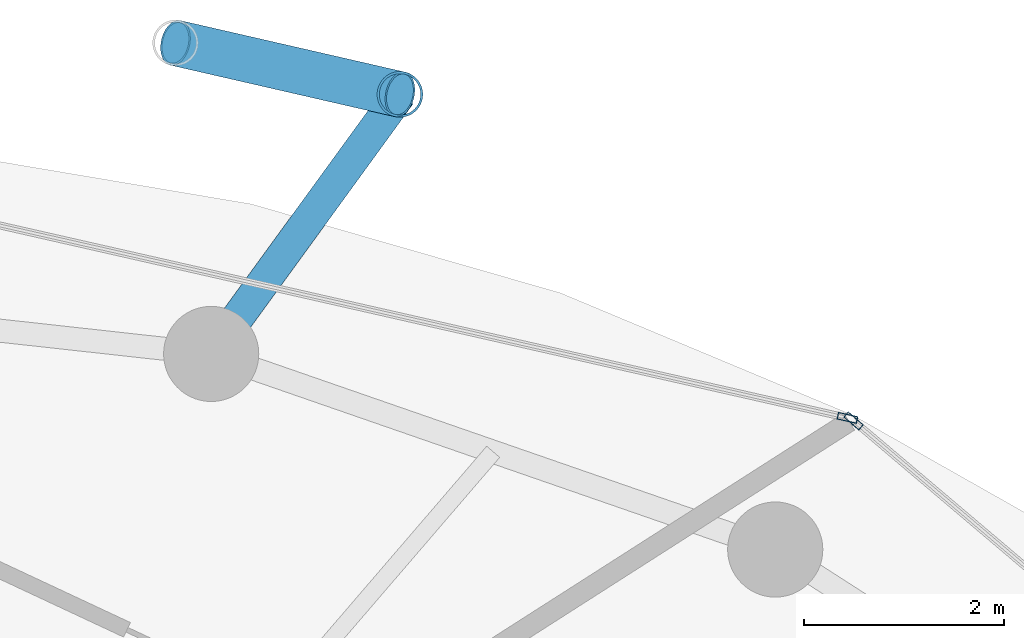
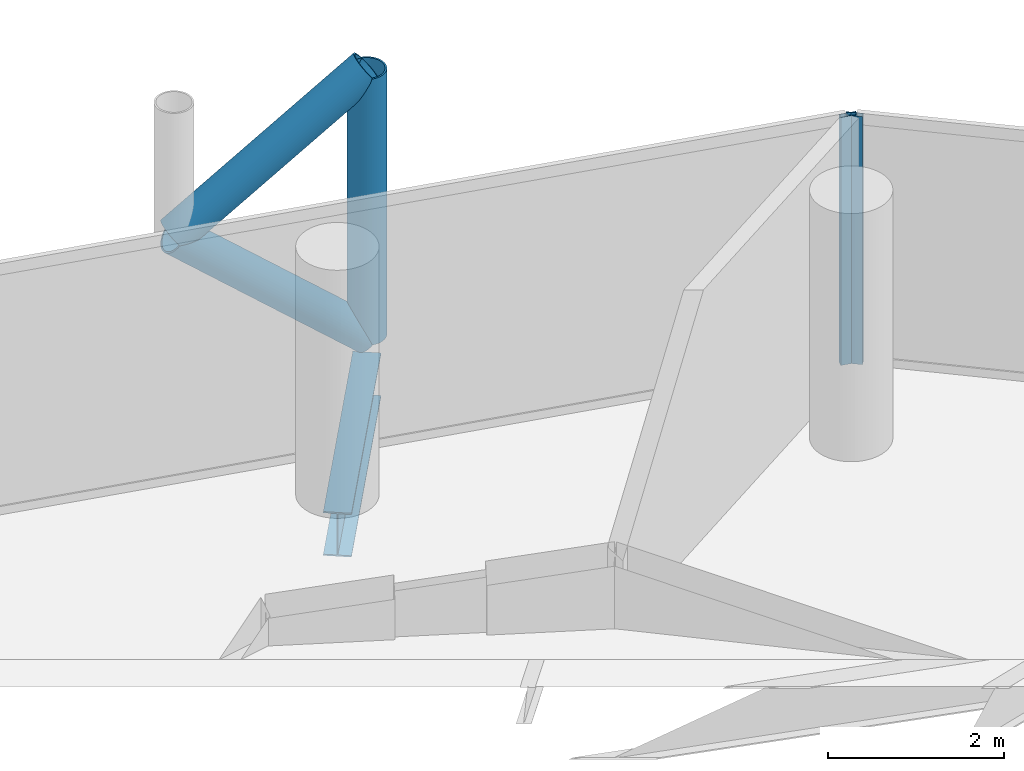
# One storey, part 20 of 26: 5 members, 1 beam, 2 elements without a shape of their own.
"""IFC4 building model written with IfcOpenShell, lengths in metres."""

from ifc_helpers import new_model, si_unit, direction, frame, origin, origin_2d, place, context, subcontext, project, spatial, hollow_rectangle, hollow_circle, i_section, extrude, material, layer, layer_set, material_profile, profile_set, type_object, element, aggregate, save


model = new_model("IFC4")

# Units and contexts
model_context = context("Model", 3, precision=1e-05, world=origin(), true_north=direction((0.0, 1.0)))
body_context = subcontext(model_context, "Body", "Model", "MODEL_VIEW")
ifc_project = project(units=[si_unit("LENGTHUNIT", "METRE"), si_unit("AREAUNIT", "SQUARE_METRE"), si_unit("VOLUMEUNIT", "CUBIC_METRE"), si_unit("PLANEANGLEUNIT", "RADIAN"), si_unit("MASSUNIT", "GRAM", prefix="KILO")], contexts=[model_context])

# Site, building, storey
site_placement = place(None, origin())
site = spatial("IfcSite", under=ifc_project, at=site_placement, CompositionType="ELEMENT")
building_placement = place(site_placement, origin())
building = spatial("IfcBuilding", under=site, at=building_placement, Name="Nuhasar Tower", CompositionType="ELEMENT")
storey_placement = place(building_placement, frame((0.0, 0.0, 140.449951171875)))
storey = spatial("IfcBuildingStorey", under=building, at=storey_placement, Name="L33", CompositionType="ELEMENT", Elevation=140.449951171875)

# Beam
ifc_material_1 = material(Name="Steel S355", Category="steel")
ifc_material_profile_1 = material_profile(ifc_material_1, i_section(OverallWidth=0.323974609375, OverallDepth=0.611083984375, WebThickness=0.0126953125, FlangeThickness=0.01904296875, at=origin_2d()), Name="W24X104")
ifc_profile_set_1 = profile_set([ifc_material_profile_1], Name="Steel S355")
beam_type = type_object("IfcBeamType", Name="BM-TIE-W24X104", PredefinedType="BEAM", material=ifc_profile_set_1)
beam_placement = place(storey_placement, frame((45.04296875, 45.68408203125, -0.555908203125), z_axis=(0.588185286445, 0.808726201387, 0.0), x_axis=(-0.808726201387, 0.588185286445, 0.0)))
element("IfcBeam", 1, at=beam_placement, inside=storey, type_object=beam_type, Name="L33 Exoskeleton Node Tie Beam 03", PredefinedType="BEAM", context=body_context, shape_type="SweptSolid", body=[
    extrude(i_section(OverallWidth=0.323974609375, OverallDepth=0.611083984375, WebThickness=0.0126953125, FlangeThickness=0.01904296875, at=origin_2d()), origin(), (0.0, 0.0, 1.0), 3.204833984375),
])

# Curtain wall, member
ifc_material_2 = material(Name="Aluminium 6063-T6", Category="aluminium")
ifc_layer = layer(ifc_material_2, 0.199951171875)
ifc_layer_set = layer_set([ifc_layer], Name="Aluminium 6063-T6")
curtain_wall_type = type_object("IfcCurtainWallType", Name="CW-Z2-HTL", PredefinedType="NOTDEFINED", material=ifc_layer_set)
curtain_wall_1_placement = place(storey_placement, origin())
curtain_wall_1 = element("IfcCurtainWall", 2, at=curtain_wall_1_placement, inside=storey, type_object=curtain_wall_type, Name="L33 Unitised Curtain Wall 02", PredefinedType="NOTDEFINED")
ifc_material_profile_2 = material_profile(ifc_material_2, hollow_rectangle(XDim=0.070068359375, YDim=0.199951171875, WallThickness=0.0048828125, at=origin_2d()), Name="CWM-3")
ifc_profile_set_2 = profile_set([ifc_material_profile_2], Name="Aluminium 6063-T6")
member_type_1 = type_object("IfcMemberType", Name="CW-MUL-S3", PredefinedType="MULLION", material=ifc_profile_set_2)
member_1_placement = place(storey_placement, frame((51.456787109375, 45.015380859375, 0.0), z_axis=(0.0, 0.0, 1.0), x_axis=(-0.646374438324, -0.763020370292, 0.0)))
member_1 = element("IfcMember", 3, at=member_1_placement, type_object=member_type_1, Name="CW-Z2 mullion 2", PredefinedType="MULLION", context=body_context, shape_type="SweptSolid", body=[
    extrude(hollow_rectangle(XDim=0.070068359375, YDim=0.199951171875, WallThickness=0.0048828125, at=origin_2d()), origin(), (0.0, 0.0, 1.0), 3.449951171875),
])
aggregate(curtain_wall_1, [member_1])

curtain_wall_2_placement = place(storey_placement, origin())
curtain_wall_2 = element("IfcCurtainWall", 4, at=curtain_wall_2_placement, inside=storey, type_object=curtain_wall_type, Name="L33 Unitised Curtain Wall 03", PredefinedType="NOTDEFINED")
member_2_placement = place(storey_placement, frame((51.395751953125, 45.045654296875, 0.0), z_axis=(0.0, 0.0, 1.0), x_axis=(-0.22139729566, -0.975183694221, 0.0)))
member_2 = element("IfcMember", 5, at=member_2_placement, type_object=member_type_1, Name="CW-Z2 mullion 1", PredefinedType="MULLION", context=body_context, shape_type="SweptSolid", body=[
    extrude(hollow_rectangle(XDim=0.070068359375, YDim=0.199951171875, WallThickness=0.0048828125, at=origin_2d()), origin(), (0.0, 0.0, 1.0), 3.449951171875),
])
aggregate(curtain_wall_2, [member_2])

# Members
ifc_material_3 = material(Name="Steel S460", Category="steel")
ifc_material_profile_3 = material_profile(ifc_material_3, hollow_circle(Radius=0.228515625, WallThickness=0.022216796875, at=origin_2d()), Name="HSS457X22.2")
ifc_profile_set_3 = profile_set([ifc_material_profile_3], Name="Steel S460")
member_type_2 = type_object("IfcMemberType", Name="EXO-BRONZE-457", PredefinedType="BRACE", material=ifc_profile_set_3)
member_3_placement = place(storey_placement, frame((46.927978515625, 48.27587890625, 0.0), z_axis=(0.0, 0.0, 1.0), x_axis=(1.0, 0.0, 0.0)))
element("IfcMember", 6, at=member_3_placement, inside=storey, type_object=member_type_2, Name="L33 Exoskeleton Chord Column EC-03A", PredefinedType="BRACE", context=body_context, shape_type="SweptSolid", body=[
    extrude(hollow_circle(Radius=0.228515625, WallThickness=0.022216796875, at=origin_2d()), origin(), (0.0, 0.0, 1.0), 3.699951171875),
])
member_4_placement = place(storey_placement, frame((46.927978515625, 48.27587890625, 0.0), z_axis=(-0.759499549084, 0.174181209885, 0.626754609927), x_axis=(-0.223533724104, -0.974696195842, 0.0)))
element("IfcMember", 7, at=member_4_placement, inside=storey, type_object=member_type_2, Name="L33 Bronze Diagrid Brace W1-03", PredefinedType="BRACE", context=body_context, shape_type="SweptSolid", body=[
    extrude(hollow_circle(Radius=0.228515625, WallThickness=0.022216796875, at=origin_2d()), origin(), (0.0, 0.0, 1.0), 2.951904296875),
])
member_5_placement = place(storey_placement, frame((44.68603515625, 48.7900390625, 1.85009765625), z_axis=(0.759538919781, -0.174190239035, 0.626704388019), x_axis=(0.223533724104, 0.974696195842, 0.0)))
element("IfcMember", 8, at=member_5_placement, inside=storey, type_object=member_type_2, Name="L33 Bronze Diagrid Brace W2-03", PredefinedType="BRACE", context=body_context, shape_type="SweptSolid", body=[
    extrude(hollow_circle(Radius=0.228515625, WallThickness=0.022216796875, at=origin_2d()), origin(), (0.0, 0.0, 1.0), 2.95166015625),
])

save(model, "model.ifc")
